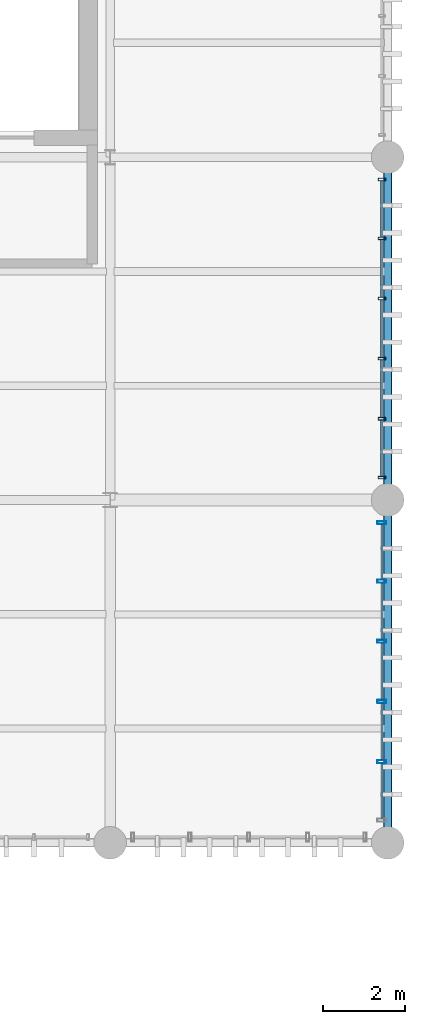
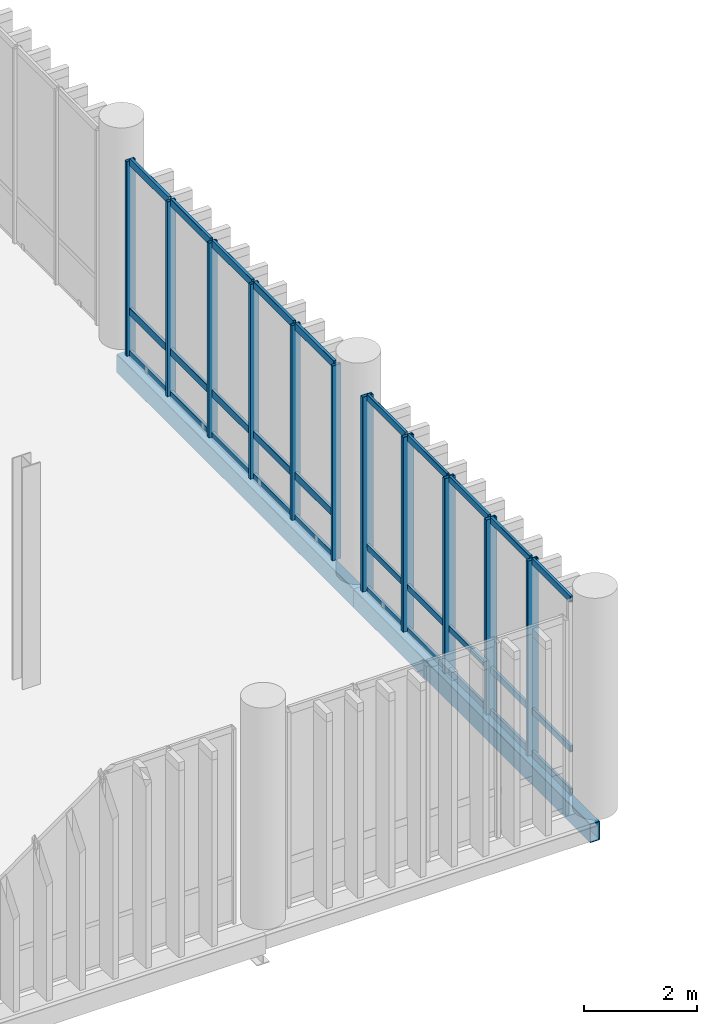
# One storey, part 60 of 94: 41 members, 2 beams, 2 elements without a shape of their own.
"""IFC4 building model written with IfcOpenShell, lengths in metres."""

from ifc_helpers import new_model, si_unit, direction, frame, origin_with_axes, origin_2d_with_axis, place, context, subcontext, project, spatial, hollow_rectangle, extrude, material, material_profile, profile_set, type_object, element, aggregate, save


model = new_model("IFC4")

# Units and contexts
model_context = context("Model", 3, precision=1e-05, world=origin_with_axes(), true_north=direction((0.0, 1.0)))
body_context = subcontext(model_context, "Body", "Model", "MODEL_VIEW")
ifc_project = project(units=[si_unit("LENGTHUNIT", "METRE"), si_unit("AREAUNIT", "SQUARE_METRE"), si_unit("VOLUMEUNIT", "CUBIC_METRE"), si_unit("PLANEANGLEUNIT", "RADIAN"), si_unit("MASSUNIT", "GRAM", prefix="KILO"), si_unit("THERMODYNAMICTEMPERATUREUNIT", "KELVIN")], contexts=[model_context])

# Site, building, storey
site_placement = place(None, origin_with_axes())
site = spatial("IfcSite", under=ifc_project, at=site_placement, CompositionType="ELEMENT")
building_placement = place(site_placement, origin_with_axes())
building = spatial("IfcBuilding", under=site, at=building_placement, Name="Montbau Bow Law Courts", CompositionType="ELEMENT")
storey_placement = place(building_placement, frame((0.0, 0.0, 15.6), z_axis=(0.0, 0.0, 1.0), x_axis=(1.0, 0.0, 0.0)))
storey = spatial("IfcBuildingStorey", under=building, at=storey_placement, Name="L03", CompositionType="ELEMENT", Elevation=15.6)

# Beams
ifc_material_1 = material(Name="Steel CSA G40.21 Grade 350WT (350 MPa)", Category="steel")
ifc_material_profile_1 = material_profile(ifc_material_1, hollow_rectangle(XDim=0.203, YDim=0.406, WallThickness=0.0127, InnerFilletRadius=0.0254, OuterFilletRadius=0.0127, at=origin_2d_with_axis()), Name="HSS406X203X13", Category="Main", Priority=0)
ifc_profile_set_1 = profile_set([ifc_material_profile_1], Name="Steel CSA G40.21 Grade 350WT (350 MPa)")
beam_type = type_object("IfcBeamType", Name="B-SPN-01", PredefinedType="SPANDREL", material=ifc_profile_set_1)
for number, where, z_axis, x_axis, name in (
    (1, (169.4, 69.6, 15.057), (0.0, 1.0, 0.0), (-1.0, 0.0, 0.0), "SPN-L03-S1241:bm2_1244"),
    (2, (169.4, 78.0, 15.057), (0.0, 1.0, 0.0), (-1.0, 0.0, 0.0), "SPN-L03-S1242:bm2_1245"),
):
    element("IfcBeam", number, at=place(None, frame(where, z_axis=z_axis, x_axis=x_axis)), inside=storey, type_object=beam_type, Name=name, PredefinedType="SPANDREL", context=body_context, shape_type="SweptSolid", body=[
        extrude(hollow_rectangle(XDim=0.203, YDim=0.406, WallThickness=0.0127, InnerFilletRadius=0.0254, OuterFilletRadius=0.0127, at=origin_2d_with_axis()), origin_with_axes(), (0.0, 0.0, 1.0), 8.4),
    ])

# Curtain wall, members
ifc_material_2 = material(Name="Thermally Broken Extruded Aluminium AA 6063-T6", Category="aluminium")
curtain_wall_type = type_object("IfcCurtainWallType", Name="CW-SLT-01", PredefinedType="NOTDEFINED", material=ifc_material_2)
curtain_wall_1_placement = place(None, frame((169.26, 70.115, 15.6), z_axis=(0.0, 0.0, 1.0), x_axis=(1.0, 0.0, 0.0)))
curtain_wall_1 = element("IfcCurtainWall", 3, at=curtain_wall_1_placement, inside=storey, type_object=curtain_wall_type, Name="CW-L03-321:cw_0321", PredefinedType="NOTDEFINED")
ifc_material_profile_2 = material_profile(ifc_material_2, hollow_rectangle(XDim=0.075, YDim=0.22, WallThickness=0.005, InnerFilletRadius=0.01, OuterFilletRadius=0.005, at=origin_2d_with_axis()), Name="CWM-220X75", Category="Main", Priority=0)
ifc_profile_set_2 = profile_set([ifc_material_profile_2], Name="Thermally Broken Extruded Aluminium AA 6063-T6")
member_type_1 = type_object("IfcMemberType", Name="M-MUL-01", PredefinedType="MULLION", material=ifc_profile_set_2)
member_1_placement = place(None, frame((169.26, 71.589, 15.6), z_axis=(0.0, 0.0, 1.0), x_axis=(0.0, 1.0, 0.0)))
member_1 = element("IfcMember", 4, at=member_1_placement, type_object=member_type_1, Name="CW-L03-321-M02:cw_0321_M02", PredefinedType="MULLION", context=body_context, shape_type="SweptSolid", body=[
    extrude(hollow_rectangle(XDim=0.075, YDim=0.22, WallThickness=0.005, InnerFilletRadius=0.01, OuterFilletRadius=0.005, at=origin_2d_with_axis()), origin_with_axes(), (0.0, 0.0, 1.0), 4.22),
])
member_2_placement = place(None, frame((169.26, 73.063, 15.6), z_axis=(0.0, 0.0, 1.0), x_axis=(0.0, 1.0, 0.0)))
member_2 = element("IfcMember", 5, at=member_2_placement, type_object=member_type_1, Name="CW-L03-321-M03:cw_0321_M03", PredefinedType="MULLION", context=body_context, shape_type="SweptSolid", body=[
    extrude(hollow_rectangle(XDim=0.075, YDim=0.22, WallThickness=0.005, InnerFilletRadius=0.01, OuterFilletRadius=0.005, at=origin_2d_with_axis()), origin_with_axes(), (0.0, 0.0, 1.0), 4.22),
])
member_3_placement = place(None, frame((169.26, 74.537, 15.6), z_axis=(0.0, 0.0, 1.0), x_axis=(0.0, 1.0, 0.0)))
member_3 = element("IfcMember", 6, at=member_3_placement, type_object=member_type_1, Name="CW-L03-321-M04:cw_0321_M04", PredefinedType="MULLION", context=body_context, shape_type="SweptSolid", body=[
    extrude(hollow_rectangle(XDim=0.075, YDim=0.22, WallThickness=0.005, InnerFilletRadius=0.01, OuterFilletRadius=0.005, at=origin_2d_with_axis()), origin_with_axes(), (0.0, 0.0, 1.0), 4.22),
])
member_4_placement = place(None, frame((169.26, 76.011, 15.6), z_axis=(0.0, 0.0, 1.0), x_axis=(0.0, 1.0, 0.0)))
member_4 = element("IfcMember", 7, at=member_4_placement, type_object=member_type_1, Name="CW-L03-321-M05:cw_0321_M05", PredefinedType="MULLION", context=body_context, shape_type="SweptSolid", body=[
    extrude(hollow_rectangle(XDim=0.075, YDim=0.22, WallThickness=0.005, InnerFilletRadius=0.01, OuterFilletRadius=0.005, at=origin_2d_with_axis()), origin_with_axes(), (0.0, 0.0, 1.0), 4.22),
])
member_5_placement = place(None, frame((169.26, 77.448, 15.6), z_axis=(0.0, 0.0, 1.0), x_axis=(0.0, 1.0, 0.0)))
member_5 = element("IfcMember", 8, at=member_5_placement, type_object=member_type_1, Name="CW-L03-321-M06:cw_0321_M06", PredefinedType="MULLION", context=body_context, shape_type="SweptSolid", body=[
    extrude(hollow_rectangle(XDim=0.075, YDim=0.22, WallThickness=0.005, InnerFilletRadius=0.01, OuterFilletRadius=0.005, at=origin_2d_with_axis()), origin_with_axes(), (0.0, 0.0, 1.0), 4.22),
])

curtain_wall_2_placement = place(None, frame((169.26, 78.515, 15.6), z_axis=(0.0, 0.0, 1.0), x_axis=(1.0, 0.0, 0.0)))
curtain_wall_2 = element("IfcCurtainWall", 9, at=curtain_wall_2_placement, inside=storey, type_object=curtain_wall_type, Name="CW-L03-322:cw_0322", PredefinedType="NOTDEFINED")
ifc_material_profile_3 = material_profile(ifc_material_2, hollow_rectangle(XDim=0.065, YDim=0.18, WallThickness=0.005, InnerFilletRadius=0.01, OuterFilletRadius=0.005, at=origin_2d_with_axis()), Name="CWM-180X65", Category="Main", Priority=0)
ifc_profile_set_3 = profile_set([ifc_material_profile_3], Name="Thermally Broken Extruded Aluminium AA 6063-T6")
member_type_2 = type_object("IfcMemberType", Name="M-MUL-02", PredefinedType="MULLION", material=ifc_profile_set_3)
member_6_placement = place(None, frame((169.26, 78.548, 15.6), z_axis=(0.0, 0.0, 1.0), x_axis=(0.0, 1.0, 0.0)))
member_6 = element("IfcMember", 10, at=member_6_placement, type_object=member_type_2, Name="CW-L03-322-M01:cw_0322_M01", PredefinedType="MULLION", context=body_context, shape_type="SweptSolid", body=[
    extrude(hollow_rectangle(XDim=0.065, YDim=0.18, WallThickness=0.005, InnerFilletRadius=0.01, OuterFilletRadius=0.005, at=origin_2d_with_axis()), origin_with_axes(), (0.0, 0.0, 1.0), 4.22),
])
member_7_placement = place(None, frame((169.26, 79.989, 15.6), z_axis=(0.0, 0.0, 1.0), x_axis=(0.0, 1.0, 0.0)))
member_7 = element("IfcMember", 11, at=member_7_placement, type_object=member_type_2, Name="CW-L03-322-M02:cw_0322_M02", PredefinedType="MULLION", context=body_context, shape_type="SweptSolid", body=[
    extrude(hollow_rectangle(XDim=0.065, YDim=0.18, WallThickness=0.005, InnerFilletRadius=0.01, OuterFilletRadius=0.005, at=origin_2d_with_axis()), origin_with_axes(), (0.0, 0.0, 1.0), 4.22),
])
member_8_placement = place(None, frame((169.26, 81.463, 15.6), z_axis=(0.0, 0.0, 1.0), x_axis=(0.0, 1.0, 0.0)))
member_8 = element("IfcMember", 12, at=member_8_placement, type_object=member_type_2, Name="CW-L03-322-M03:cw_0322_M03", PredefinedType="MULLION", context=body_context, shape_type="SweptSolid", body=[
    extrude(hollow_rectangle(XDim=0.065, YDim=0.18, WallThickness=0.005, InnerFilletRadius=0.01, OuterFilletRadius=0.005, at=origin_2d_with_axis()), origin_with_axes(), (0.0, 0.0, 1.0), 4.22),
])
member_9_placement = place(None, frame((169.26, 82.937, 15.6), z_axis=(0.0, 0.0, 1.0), x_axis=(0.0, 1.0, 0.0)))
member_9 = element("IfcMember", 13, at=member_9_placement, type_object=member_type_2, Name="CW-L03-322-M04:cw_0322_M04", PredefinedType="MULLION", context=body_context, shape_type="SweptSolid", body=[
    extrude(hollow_rectangle(XDim=0.065, YDim=0.18, WallThickness=0.005, InnerFilletRadius=0.01, OuterFilletRadius=0.005, at=origin_2d_with_axis()), origin_with_axes(), (0.0, 0.0, 1.0), 4.22),
])
member_10_placement = place(None, frame((169.26, 84.411, 15.6), z_axis=(0.0, 0.0, 1.0), x_axis=(0.0, 1.0, 0.0)))
member_10 = element("IfcMember", 14, at=member_10_placement, type_object=member_type_2, Name="CW-L03-322-M05:cw_0322_M05", PredefinedType="MULLION", context=body_context, shape_type="SweptSolid", body=[
    extrude(hollow_rectangle(XDim=0.065, YDim=0.18, WallThickness=0.005, InnerFilletRadius=0.01, OuterFilletRadius=0.005, at=origin_2d_with_axis()), origin_with_axes(), (0.0, 0.0, 1.0), 4.22),
])
member_11_placement = place(None, frame((169.26, 85.853, 15.6), z_axis=(0.0, 0.0, 1.0), x_axis=(0.0, 1.0, 0.0)))
member_11 = element("IfcMember", 15, at=member_11_placement, type_object=member_type_2, Name="CW-L03-322-M06:cw_0322_M06", PredefinedType="MULLION", context=body_context, shape_type="SweptSolid", body=[
    extrude(hollow_rectangle(XDim=0.065, YDim=0.18, WallThickness=0.005, InnerFilletRadius=0.01, OuterFilletRadius=0.005, at=origin_2d_with_axis()), origin_with_axes(), (0.0, 0.0, 1.0), 4.22),
])
ifc_material_profile_4 = material_profile(ifc_material_2, hollow_rectangle(XDim=0.06, YDim=0.16, WallThickness=0.004, InnerFilletRadius=0.008, OuterFilletRadius=0.004, at=origin_2d_with_axis()), Name="CWT-160X60", Category="Main", Priority=0)
ifc_profile_set_4 = profile_set([ifc_material_profile_4], Name="Thermally Broken Extruded Aluminium AA 6063-T6")
member_type_3 = type_object("IfcMemberType", Name="M-TRN-01", PredefinedType="USERDEFINED", material=ifc_profile_set_4)
member_12_placement = place(None, frame((169.26, 78.583, 15.63), z_axis=(0.0, 1.0, 0.0), x_axis=(-1.0, 0.0, 0.0)))
member_12 = element("IfcMember", 16, at=member_12_placement, type_object=member_type_3, Name="CW-L03-322-T01-1:cw_0322_T01_1", ObjectType="TRANSOM", PredefinedType="USERDEFINED", context=body_context, shape_type="SweptSolid", body=[
    extrude(hollow_rectangle(XDim=0.06, YDim=0.16, WallThickness=0.004, InnerFilletRadius=0.008, OuterFilletRadius=0.004, at=origin_2d_with_axis()), origin_with_axes(), (0.0, 0.0, 1.0), 1.372),
])
member_13_placement = place(None, frame((169.26, 78.583, 16.55), z_axis=(0.0, 1.0, 0.0), x_axis=(-1.0, 0.0, 0.0)))
member_13 = element("IfcMember", 17, at=member_13_placement, type_object=member_type_3, Name="CW-L03-322-T01-2:cw_0322_T01_2", ObjectType="TRANSOM", PredefinedType="USERDEFINED", context=body_context, shape_type="SweptSolid", body=[
    extrude(hollow_rectangle(XDim=0.06, YDim=0.16, WallThickness=0.004, InnerFilletRadius=0.008, OuterFilletRadius=0.004, at=origin_2d_with_axis()), origin_with_axes(), (0.0, 0.0, 1.0), 1.372),
])
member_14_placement = place(None, frame((169.26, 78.583, 19.79), z_axis=(0.0, 1.0, 0.0), x_axis=(-1.0, 0.0, 0.0)))
member_14 = element("IfcMember", 18, at=member_14_placement, type_object=member_type_3, Name="CW-L03-322-T01-3:cw_0322_T01_3", ObjectType="TRANSOM", PredefinedType="USERDEFINED", context=body_context, shape_type="SweptSolid", body=[
    extrude(hollow_rectangle(XDim=0.06, YDim=0.16, WallThickness=0.004, InnerFilletRadius=0.008, OuterFilletRadius=0.004, at=origin_2d_with_axis()), origin_with_axes(), (0.0, 0.0, 1.0), 1.372),
])
member_15_placement = place(None, frame((169.26, 80.023, 15.63), z_axis=(0.0, 1.0, 0.0), x_axis=(-1.0, 0.0, 0.0)))
member_15 = element("IfcMember", 19, at=member_15_placement, type_object=member_type_3, Name="CW-L03-322-T02-1:cw_0322_T02_1", ObjectType="TRANSOM", PredefinedType="USERDEFINED", context=body_context, shape_type="SweptSolid", body=[
    extrude(hollow_rectangle(XDim=0.06, YDim=0.16, WallThickness=0.004, InnerFilletRadius=0.008, OuterFilletRadius=0.004, at=origin_2d_with_axis()), origin_with_axes(), (0.0, 0.0, 1.0), 1.405),
])
member_16_placement = place(None, frame((169.26, 80.023, 16.55), z_axis=(0.0, 1.0, 0.0), x_axis=(-1.0, 0.0, 0.0)))
member_16 = element("IfcMember", 20, at=member_16_placement, type_object=member_type_3, Name="CW-L03-322-T02-2:cw_0322_T02_2", ObjectType="TRANSOM", PredefinedType="USERDEFINED", context=body_context, shape_type="SweptSolid", body=[
    extrude(hollow_rectangle(XDim=0.06, YDim=0.16, WallThickness=0.004, InnerFilletRadius=0.008, OuterFilletRadius=0.004, at=origin_2d_with_axis()), origin_with_axes(), (0.0, 0.0, 1.0), 1.405),
])
member_17_placement = place(None, frame((169.26, 80.023, 19.79), z_axis=(0.0, 1.0, 0.0), x_axis=(-1.0, 0.0, 0.0)))
member_17 = element("IfcMember", 21, at=member_17_placement, type_object=member_type_3, Name="CW-L03-322-T02-3:cw_0322_T02_3", ObjectType="TRANSOM", PredefinedType="USERDEFINED", context=body_context, shape_type="SweptSolid", body=[
    extrude(hollow_rectangle(XDim=0.06, YDim=0.16, WallThickness=0.004, InnerFilletRadius=0.008, OuterFilletRadius=0.004, at=origin_2d_with_axis()), origin_with_axes(), (0.0, 0.0, 1.0), 1.405),
])
member_18_placement = place(None, frame((169.26, 81.497, 15.63), z_axis=(0.0, 1.0, 0.0), x_axis=(-1.0, 0.0, 0.0)))
member_18 = element("IfcMember", 22, at=member_18_placement, type_object=member_type_3, Name="CW-L03-322-T03-1:cw_0322_T03_1", ObjectType="TRANSOM", PredefinedType="USERDEFINED", context=body_context, shape_type="SweptSolid", body=[
    extrude(hollow_rectangle(XDim=0.06, YDim=0.16, WallThickness=0.004, InnerFilletRadius=0.008, OuterFilletRadius=0.004, at=origin_2d_with_axis()), origin_with_axes(), (0.0, 0.0, 1.0), 1.406),
])
member_19_placement = place(None, frame((169.26, 81.497, 16.55), z_axis=(0.0, 1.0, 0.0), x_axis=(-1.0, 0.0, 0.0)))
member_19 = element("IfcMember", 23, at=member_19_placement, type_object=member_type_3, Name="CW-L03-322-T03-2:cw_0322_T03_2", ObjectType="TRANSOM", PredefinedType="USERDEFINED", context=body_context, shape_type="SweptSolid", body=[
    extrude(hollow_rectangle(XDim=0.06, YDim=0.16, WallThickness=0.004, InnerFilletRadius=0.008, OuterFilletRadius=0.004, at=origin_2d_with_axis()), origin_with_axes(), (0.0, 0.0, 1.0), 1.406),
])
member_20_placement = place(None, frame((169.26, 81.497, 19.79), z_axis=(0.0, 1.0, 0.0), x_axis=(-1.0, 0.0, 0.0)))
member_20 = element("IfcMember", 24, at=member_20_placement, type_object=member_type_3, Name="CW-L03-322-T03-3:cw_0322_T03_3", ObjectType="TRANSOM", PredefinedType="USERDEFINED", context=body_context, shape_type="SweptSolid", body=[
    extrude(hollow_rectangle(XDim=0.06, YDim=0.16, WallThickness=0.004, InnerFilletRadius=0.008, OuterFilletRadius=0.004, at=origin_2d_with_axis()), origin_with_axes(), (0.0, 0.0, 1.0), 1.406),
])
member_21_placement = place(None, frame((169.26, 82.971, 15.63), z_axis=(0.0, 1.0, 0.0), x_axis=(-1.0, 0.0, 0.0)))
member_21 = element("IfcMember", 25, at=member_21_placement, type_object=member_type_3, Name="CW-L03-322-T04-1:cw_0322_T04_1", ObjectType="TRANSOM", PredefinedType="USERDEFINED", context=body_context, shape_type="SweptSolid", body=[
    extrude(hollow_rectangle(XDim=0.06, YDim=0.16, WallThickness=0.004, InnerFilletRadius=0.008, OuterFilletRadius=0.004, at=origin_2d_with_axis()), origin_with_axes(), (0.0, 0.0, 1.0), 1.406),
])
member_22_placement = place(None, frame((169.26, 82.971, 16.55), z_axis=(0.0, 1.0, 0.0), x_axis=(-1.0, 0.0, 0.0)))
member_22 = element("IfcMember", 26, at=member_22_placement, type_object=member_type_3, Name="CW-L03-322-T04-2:cw_0322_T04_2", ObjectType="TRANSOM", PredefinedType="USERDEFINED", context=body_context, shape_type="SweptSolid", body=[
    extrude(hollow_rectangle(XDim=0.06, YDim=0.16, WallThickness=0.004, InnerFilletRadius=0.008, OuterFilletRadius=0.004, at=origin_2d_with_axis()), origin_with_axes(), (0.0, 0.0, 1.0), 1.406),
])
member_23_placement = place(None, frame((169.26, 82.971, 19.79), z_axis=(0.0, 1.0, 0.0), x_axis=(-1.0, 0.0, 0.0)))
member_23 = element("IfcMember", 27, at=member_23_placement, type_object=member_type_3, Name="CW-L03-322-T04-3:cw_0322_T04_3", ObjectType="TRANSOM", PredefinedType="USERDEFINED", context=body_context, shape_type="SweptSolid", body=[
    extrude(hollow_rectangle(XDim=0.06, YDim=0.16, WallThickness=0.004, InnerFilletRadius=0.008, OuterFilletRadius=0.004, at=origin_2d_with_axis()), origin_with_axes(), (0.0, 0.0, 1.0), 1.406),
])
member_24_placement = place(None, frame((169.26, 84.445, 15.63), z_axis=(0.0, 1.0, 0.0), x_axis=(-1.0, 0.0, 0.0)))
member_24 = element("IfcMember", 28, at=member_24_placement, type_object=member_type_3, Name="CW-L03-322-T05-1:cw_0322_T05_1", ObjectType="TRANSOM", PredefinedType="USERDEFINED", context=body_context, shape_type="SweptSolid", body=[
    extrude(hollow_rectangle(XDim=0.06, YDim=0.16, WallThickness=0.004, InnerFilletRadius=0.008, OuterFilletRadius=0.004, at=origin_2d_with_axis()), origin_with_axes(), (0.0, 0.0, 1.0), 1.374),
])
member_25_placement = place(None, frame((169.26, 84.445, 16.55), z_axis=(0.0, 1.0, 0.0), x_axis=(-1.0, 0.0, 0.0)))
member_25 = element("IfcMember", 29, at=member_25_placement, type_object=member_type_3, Name="CW-L03-322-T05-2:cw_0322_T05_2", ObjectType="TRANSOM", PredefinedType="USERDEFINED", context=body_context, shape_type="SweptSolid", body=[
    extrude(hollow_rectangle(XDim=0.06, YDim=0.16, WallThickness=0.004, InnerFilletRadius=0.008, OuterFilletRadius=0.004, at=origin_2d_with_axis()), origin_with_axes(), (0.0, 0.0, 1.0), 1.374),
])
member_26_placement = place(None, frame((169.26, 84.445, 19.79), z_axis=(0.0, 1.0, 0.0), x_axis=(-1.0, 0.0, 0.0)))
member_26 = element("IfcMember", 30, at=member_26_placement, type_object=member_type_3, Name="CW-L03-322-T05-3:cw_0322_T05_3", ObjectType="TRANSOM", PredefinedType="USERDEFINED", context=body_context, shape_type="SweptSolid", body=[
    extrude(hollow_rectangle(XDim=0.06, YDim=0.16, WallThickness=0.004, InnerFilletRadius=0.008, OuterFilletRadius=0.004, at=origin_2d_with_axis()), origin_with_axes(), (0.0, 0.0, 1.0), 1.374),
])
aggregate(curtain_wall_2, [member_6, member_7, member_8, member_9, member_10, member_11, member_12, member_13, member_14, member_15, member_16, member_17, member_18, member_19, member_20, member_21, member_22, member_23, member_24, member_25, member_26])

# Member
ifc_material_profile_5 = material_profile(ifc_material_2, hollow_rectangle(XDim=0.055, YDim=0.14, WallThickness=0.004, InnerFilletRadius=0.008, OuterFilletRadius=0.004, at=origin_2d_with_axis()), Name="CWT-140X55", Category="Main", Priority=0)
ifc_profile_set_5 = profile_set([ifc_material_profile_5], Name="Thermally Broken Extruded Aluminium AA 6063-T6")
member_type_4 = type_object("IfcMemberType", Name="M-TRN-02", PredefinedType="USERDEFINED", material=ifc_profile_set_5)
member_27_placement = place(None, frame((169.26, 70.191, 15.627), z_axis=(0.0, 1.0, 0.0), x_axis=(-1.0, 0.0, 0.0)))
member_27 = element("IfcMember", 31, at=member_27_placement, type_object=member_type_4, Name="CW-L03-321-T01-1:cw_0321_T01_1", ObjectType="TRANSOM", PredefinedType="USERDEFINED", context=body_context, shape_type="SweptSolid", body=[
    extrude(hollow_rectangle(XDim=0.055, YDim=0.14, WallThickness=0.004, InnerFilletRadius=0.008, OuterFilletRadius=0.004, at=origin_2d_with_axis()), origin_with_axes(), (0.0, 0.0, 1.0), 1.358),
])

member_28_placement = place(None, frame((169.26, 70.191, 16.55), z_axis=(0.0, 1.0, 0.0), x_axis=(-1.0, 0.0, 0.0)))
member_28 = element("IfcMember", 32, at=member_28_placement, type_object=member_type_4, Name="CW-L03-321-T01-2:cw_0321_T01_2", ObjectType="TRANSOM", PredefinedType="USERDEFINED", context=body_context, shape_type="SweptSolid", body=[
    extrude(hollow_rectangle(XDim=0.055, YDim=0.14, WallThickness=0.004, InnerFilletRadius=0.008, OuterFilletRadius=0.004, at=origin_2d_with_axis()), origin_with_axes(), (0.0, 0.0, 1.0), 1.358),
])

member_29_placement = place(None, frame((169.26, 70.191, 19.793), z_axis=(0.0, 1.0, 0.0), x_axis=(-1.0, 0.0, 0.0)))
member_29 = element("IfcMember", 33, at=member_29_placement, type_object=member_type_4, Name="CW-L03-321-T01-3:cw_0321_T01_3", ObjectType="TRANSOM", PredefinedType="USERDEFINED", context=body_context, shape_type="SweptSolid", body=[
    extrude(hollow_rectangle(XDim=0.055, YDim=0.14, WallThickness=0.004, InnerFilletRadius=0.008, OuterFilletRadius=0.004, at=origin_2d_with_axis()), origin_with_axes(), (0.0, 0.0, 1.0), 1.358),
])

member_30_placement = place(None, frame((169.26, 71.629, 15.627), z_axis=(0.0, 1.0, 0.0), x_axis=(-1.0, 0.0, 0.0)))
member_30 = element("IfcMember", 34, at=member_30_placement, type_object=member_type_4, Name="CW-L03-321-T02-1:cw_0321_T02_1", ObjectType="TRANSOM", PredefinedType="USERDEFINED", context=body_context, shape_type="SweptSolid", body=[
    extrude(hollow_rectangle(XDim=0.055, YDim=0.14, WallThickness=0.004, InnerFilletRadius=0.008, OuterFilletRadius=0.004, at=origin_2d_with_axis()), origin_with_axes(), (0.0, 0.0, 1.0), 1.395),
])

member_31_placement = place(None, frame((169.26, 71.629, 16.55), z_axis=(0.0, 1.0, 0.0), x_axis=(-1.0, 0.0, 0.0)))
member_31 = element("IfcMember", 35, at=member_31_placement, type_object=member_type_4, Name="CW-L03-321-T02-2:cw_0321_T02_2", ObjectType="TRANSOM", PredefinedType="USERDEFINED", context=body_context, shape_type="SweptSolid", body=[
    extrude(hollow_rectangle(XDim=0.055, YDim=0.14, WallThickness=0.004, InnerFilletRadius=0.008, OuterFilletRadius=0.004, at=origin_2d_with_axis()), origin_with_axes(), (0.0, 0.0, 1.0), 1.395),
])

member_32_placement = place(None, frame((169.26, 71.629, 19.793), z_axis=(0.0, 1.0, 0.0), x_axis=(-1.0, 0.0, 0.0)))
member_32 = element("IfcMember", 36, at=member_32_placement, type_object=member_type_4, Name="CW-L03-321-T02-3:cw_0321_T02_3", ObjectType="TRANSOM", PredefinedType="USERDEFINED", context=body_context, shape_type="SweptSolid", body=[
    extrude(hollow_rectangle(XDim=0.055, YDim=0.14, WallThickness=0.004, InnerFilletRadius=0.008, OuterFilletRadius=0.004, at=origin_2d_with_axis()), origin_with_axes(), (0.0, 0.0, 1.0), 1.395),
])

member_33_placement = place(None, frame((169.26, 73.102, 15.627), z_axis=(0.0, 1.0, 0.0), x_axis=(-1.0, 0.0, 0.0)))
member_33 = element("IfcMember", 37, at=member_33_placement, type_object=member_type_4, Name="CW-L03-321-T03-1:cw_0321_T03_1", ObjectType="TRANSOM", PredefinedType="USERDEFINED", context=body_context, shape_type="SweptSolid", body=[
    extrude(hollow_rectangle(XDim=0.055, YDim=0.14, WallThickness=0.004, InnerFilletRadius=0.008, OuterFilletRadius=0.004, at=origin_2d_with_axis()), origin_with_axes(), (0.0, 0.0, 1.0), 1.396),
])

member_34_placement = place(None, frame((169.26, 73.102, 16.55), z_axis=(0.0, 1.0, 0.0), x_axis=(-1.0, 0.0, 0.0)))
member_34 = element("IfcMember", 38, at=member_34_placement, type_object=member_type_4, Name="CW-L03-321-T03-2:cw_0321_T03_2", ObjectType="TRANSOM", PredefinedType="USERDEFINED", context=body_context, shape_type="SweptSolid", body=[
    extrude(hollow_rectangle(XDim=0.055, YDim=0.14, WallThickness=0.004, InnerFilletRadius=0.008, OuterFilletRadius=0.004, at=origin_2d_with_axis()), origin_with_axes(), (0.0, 0.0, 1.0), 1.396),
])

member_35_placement = place(None, frame((169.26, 73.102, 19.793), z_axis=(0.0, 1.0, 0.0), x_axis=(-1.0, 0.0, 0.0)))
member_35 = element("IfcMember", 39, at=member_35_placement, type_object=member_type_4, Name="CW-L03-321-T03-3:cw_0321_T03_3", ObjectType="TRANSOM", PredefinedType="USERDEFINED", context=body_context, shape_type="SweptSolid", body=[
    extrude(hollow_rectangle(XDim=0.055, YDim=0.14, WallThickness=0.004, InnerFilletRadius=0.008, OuterFilletRadius=0.004, at=origin_2d_with_axis()), origin_with_axes(), (0.0, 0.0, 1.0), 1.396),
])

member_36_placement = place(None, frame((169.26, 74.576, 15.627), z_axis=(0.0, 1.0, 0.0), x_axis=(-1.0, 0.0, 0.0)))
member_36 = element("IfcMember", 40, at=member_36_placement, type_object=member_type_4, Name="CW-L03-321-T04-1:cw_0321_T04_1", ObjectType="TRANSOM", PredefinedType="USERDEFINED", context=body_context, shape_type="SweptSolid", body=[
    extrude(hollow_rectangle(XDim=0.055, YDim=0.14, WallThickness=0.004, InnerFilletRadius=0.008, OuterFilletRadius=0.004, at=origin_2d_with_axis()), origin_with_axes(), (0.0, 0.0, 1.0), 1.396),
])

member_37_placement = place(None, frame((169.26, 74.576, 16.55), z_axis=(0.0, 1.0, 0.0), x_axis=(-1.0, 0.0, 0.0)))
member_37 = element("IfcMember", 41, at=member_37_placement, type_object=member_type_4, Name="CW-L03-321-T04-2:cw_0321_T04_2", ObjectType="TRANSOM", PredefinedType="USERDEFINED", context=body_context, shape_type="SweptSolid", body=[
    extrude(hollow_rectangle(XDim=0.055, YDim=0.14, WallThickness=0.004, InnerFilletRadius=0.008, OuterFilletRadius=0.004, at=origin_2d_with_axis()), origin_with_axes(), (0.0, 0.0, 1.0), 1.396),
])

member_38_placement = place(None, frame((169.26, 74.576, 19.793), z_axis=(0.0, 1.0, 0.0), x_axis=(-1.0, 0.0, 0.0)))
member_38 = element("IfcMember", 42, at=member_38_placement, type_object=member_type_4, Name="CW-L03-321-T04-3:cw_0321_T04_3", ObjectType="TRANSOM", PredefinedType="USERDEFINED", context=body_context, shape_type="SweptSolid", body=[
    extrude(hollow_rectangle(XDim=0.055, YDim=0.14, WallThickness=0.004, InnerFilletRadius=0.008, OuterFilletRadius=0.004, at=origin_2d_with_axis()), origin_with_axes(), (0.0, 0.0, 1.0), 1.396),
])

member_39_placement = place(None, frame((169.26, 76.05, 15.627), z_axis=(0.0, 1.0, 0.0), x_axis=(-1.0, 0.0, 0.0)))
member_39 = element("IfcMember", 43, at=member_39_placement, type_object=member_type_4, Name="CW-L03-321-T05-1:cw_0321_T05_1", ObjectType="TRANSOM", PredefinedType="USERDEFINED", context=body_context, shape_type="SweptSolid", body=[
    extrude(hollow_rectangle(XDim=0.055, YDim=0.14, WallThickness=0.004, InnerFilletRadius=0.008, OuterFilletRadius=0.004, at=origin_2d_with_axis()), origin_with_axes(), (0.0, 0.0, 1.0), 1.359),
])

member_40_placement = place(None, frame((169.26, 76.05, 16.55), z_axis=(0.0, 1.0, 0.0), x_axis=(-1.0, 0.0, 0.0)))
member_40 = element("IfcMember", 44, at=member_40_placement, type_object=member_type_4, Name="CW-L03-321-T05-2:cw_0321_T05_2", ObjectType="TRANSOM", PredefinedType="USERDEFINED", context=body_context, shape_type="SweptSolid", body=[
    extrude(hollow_rectangle(XDim=0.055, YDim=0.14, WallThickness=0.004, InnerFilletRadius=0.008, OuterFilletRadius=0.004, at=origin_2d_with_axis()), origin_with_axes(), (0.0, 0.0, 1.0), 1.359),
])

member_41_placement = place(None, frame((169.26, 76.05, 19.793), z_axis=(0.0, 1.0, 0.0), x_axis=(-1.0, 0.0, 0.0)))
member_41 = element("IfcMember", 45, at=member_41_placement, type_object=member_type_4, Name="CW-L03-321-T05-3:cw_0321_T05_3", ObjectType="TRANSOM", PredefinedType="USERDEFINED", context=body_context, shape_type="SweptSolid", body=[
    extrude(hollow_rectangle(XDim=0.055, YDim=0.14, WallThickness=0.004, InnerFilletRadius=0.008, OuterFilletRadius=0.004, at=origin_2d_with_axis()), origin_with_axes(), (0.0, 0.0, 1.0), 1.359),
])

aggregate(curtain_wall_1, [member_1, member_2, member_3, member_4, member_5, member_27, member_28, member_29, member_30, member_31, member_32, member_33, member_34, member_35, member_36, member_37, member_38, member_39, member_40, member_41])

save(model, "model.ifc")
